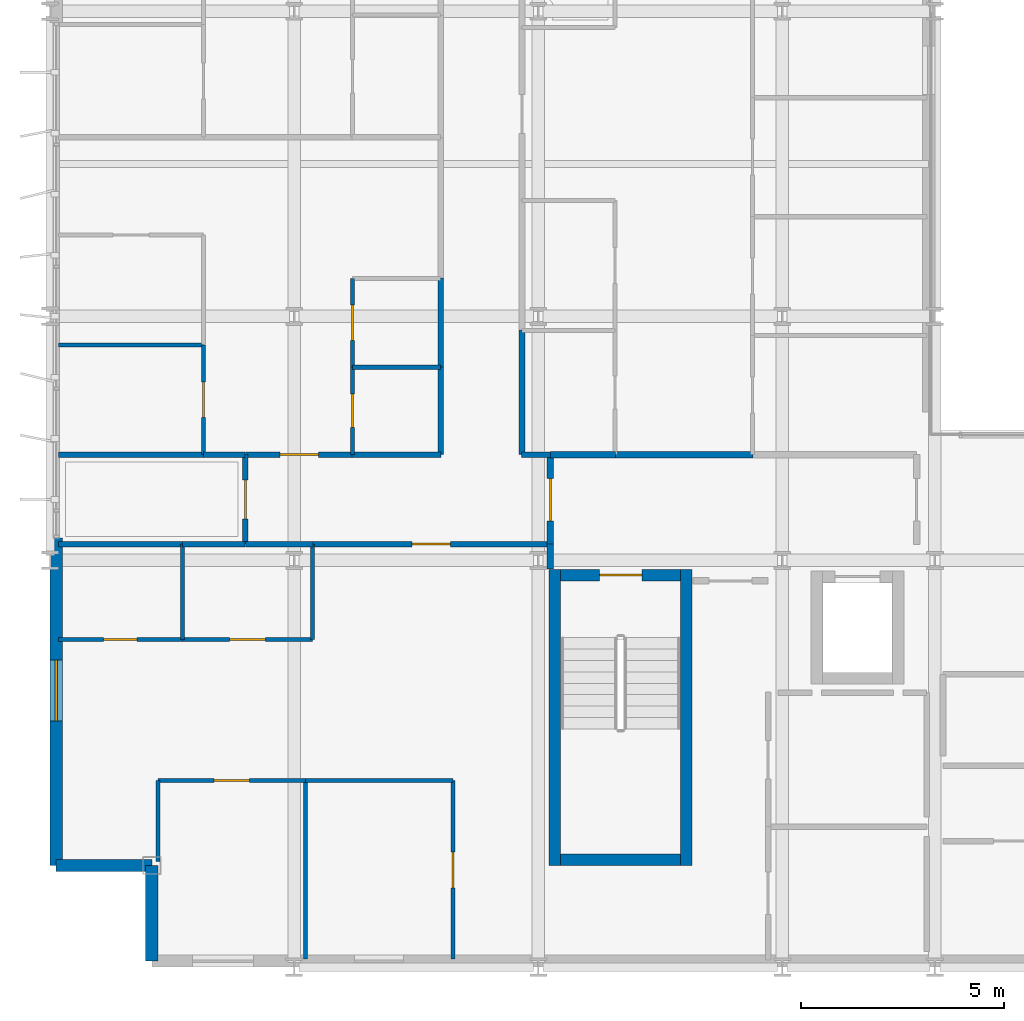
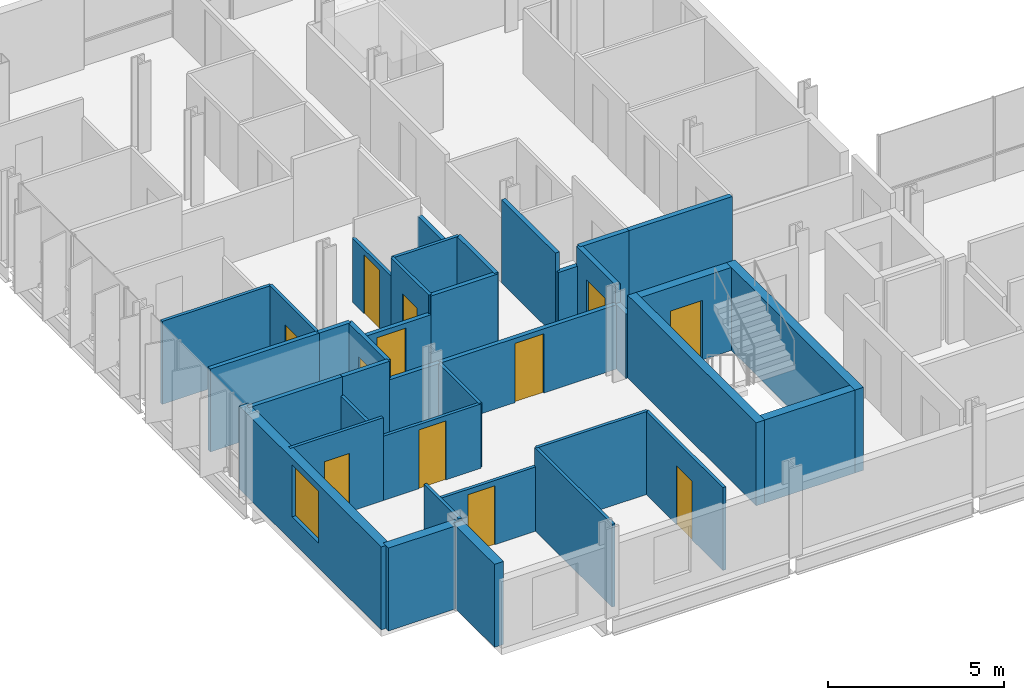
# One storey, part 27 of 38: 38 walls, 12 doors, 1 window, 13 openings.
"""IFC4 building model written with IfcOpenShell, lengths in metres."""

from ifc_helpers import new_model, si_unit, direction, frame, frame_2d, origin, place, context, subcontext, project, spatial, rectangle, extrude, material, layer, layer_set, type_object, element, fill, save


model = new_model("IFC4")

# Units and contexts
model_context = context("Model", 3, precision=1e-05, world=origin(), true_north=direction((0.0, 1.0)))
body_context = subcontext(model_context, "Body", "Model", "MODEL_VIEW")
ifc_project = project(units=[si_unit("LENGTHUNIT", "METRE"), si_unit("AREAUNIT", "SQUARE_METRE"), si_unit("VOLUMEUNIT", "CUBIC_METRE"), si_unit("PLANEANGLEUNIT", "RADIAN"), si_unit("MASSUNIT", "GRAM", prefix="KILO")], contexts=[model_context])

# Site, building, storey
site_placement = place(None, origin())
site = spatial("IfcSite", under=ifc_project, at=site_placement, CompositionType="ELEMENT")
building_placement = place(site_placement, origin())
building = spatial("IfcBuilding", under=site, at=building_placement, Name="Brevholm Reach", CompositionType="ELEMENT")
storey_placement = place(building_placement, frame((0.0, 0.0, 65.199951171875)))
storey = spatial("IfcBuildingStorey", under=building, at=storey_placement, Name="L18", CompositionType="ELEMENT", Elevation=65.199951171875)

# Walls
ifc_material_1 = material(Name="Concrete C50/60", Category="concrete")
ifc_layer_1 = layer(ifc_material_1, 0.280029296875)
ifc_layer_set_1 = layer_set([ifc_layer_1], Name="Concrete C50/60")
wall_type_1 = type_object("IfcWallType", Name="WAL-COR-280", PredefinedType="SHEAR", material=ifc_layer_set_1)
for number, where, z_axis, x_axis, name in (
    (1, (12.409912109375, 2.5, 0.0), (0.0, 0.0, 1.0), (0.0, 1.0, 0.0), "L18 Escape Stair ST-1 Core Wall W"),
    (2, (15.639892578125, 2.5, 0.0), (0.0, 0.0, 1.0), (0.0, 1.0, 0.0), "L18 Escape Stair ST-1 Core Wall E"),
):
    element("IfcWall", number, at=place(storey_placement, frame(where, z_axis=z_axis, x_axis=x_axis)), inside=storey, type_object=wall_type_1, Name=name, PredefinedType="SHEAR", context=body_context, shape_type="SweptSolid", body=[
        extrude(rectangle(XDim=7.280029296875, YDim=0.280029296875, at=frame_2d((3.64013671875, 0.0))), origin(), (0.0, 0.0, 1.0), 2.8701171875),
    ])
wall_1_placement = place(storey_placement, frame((12.550048828125, 2.639892578125, 0.0), z_axis=(0.0, 0.0, 1.0), x_axis=(1.0, 0.0, 0.0)))
element("IfcWall", 3, at=wall_1_placement, inside=storey, type_object=wall_type_1, Name="L18 Escape Stair ST-1 Core Wall S", PredefinedType="SHEAR", context=body_context, shape_type="SweptSolid", body=[
    extrude(rectangle(XDim=2.949951171875, YDim=0.280029296875, at=frame_2d((1.47509765625, 0.0))), origin(), (0.0, 0.0, 1.0), 2.8701171875),
])

# Wall, opening, door
wall_2_placement = place(storey_placement, frame((15.5, 9.639892578125, 0.0), z_axis=(0.0, 0.0, 1.0), x_axis=(-1.0, 0.0, 0.0)))
wall_2 = element("IfcWall", 4, at=wall_2_placement, inside=storey, type_object=wall_type_1, Name="L18 Escape Stair ST-1 Core Wall N", PredefinedType="SHEAR", context=body_context, shape_type="SweptSolid", body=[
    extrude(rectangle(XDim=2.949951171875, YDim=0.280029296875, at=frame_2d((1.47509765625, 0.0))), origin(), (0.0, 0.0, 1.0), 2.8701171875),
])
opening_1_placement = place(wall_2_placement, frame((0.949951171875, 0.0, 0.0)))
opening_1 = element("IfcOpeningElement", 5, at=opening_1_placement, cuts=wall_2, Name="Opening SD-ST-1", PredefinedType="OPENING", context=body_context, shape_type="SweptSolid", body=[
    extrude(rectangle(XDim=1.050048828125, YDim=2.06005859375, at=frame_2d((0.52490234375, 1.030029296875))), frame((0.0, 0.14990234375, 0.0), z_axis=(0.0, -1.0, 0.0), x_axis=(1.0, 0.0, 0.0)), (0.0, 0.0, 1.0), 0.300048828125),
])
ifc_material_2 = material(Name="Hardwood-Lipped Steel-Core Fire and Smoke Door", Category="steel")
door_type_1 = type_object("IfcDoorType", Name="DOR-INT-FD60S", OperationType="NOTDEFINED", PredefinedType="DOOR", material=ifc_material_2)
door_1_placement = place(opening_1_placement, origin())
door_1 = element("IfcDoor", 6, at=door_1_placement, inside=storey, type_object=door_type_1, Name="L18 Protected Stair ST-1 Lobby Door", OperationType="SINGLE_SWING_RIGHT", OverallHeight=2.06005859375, OverallWidth=1.050048828125, PredefinedType="DOOR", context=body_context, shape_type="SweptSolid", body=[
    extrude(rectangle(XDim=1.050048828125, YDim=2.06005859375, at=frame_2d((0.52490234375, 1.030029296875))), frame((0.0, 0.02490234375, 0.0), z_axis=(0.0, -1.0, 0.0), x_axis=(1.0, 0.0, 0.0)), (0.0, 0.0, 1.0), 0.050048828125),
])
fill(opening_1, door_1)

# Walls
ifc_material_3 = material(Name="Concrete C40/50", Category="concrete")
ifc_layer_2 = layer(ifc_material_3, 0.300048828125)
ifc_layer_set_2 = layer_set([ifc_layer_2], Name="Concrete C40/50")
wall_type_2 = type_object("IfcWallType", Name="WAL-EXT-300", PredefinedType="STANDARD", material=ifc_layer_set_2)
for number, where, z_axis, x_axis, name in (
    (7, (2.5, 2.5, 0.0), (0.0, 0.0, 1.0), (0.0, -1.0, 0.0), "L18 Facade Wall WAL-L18-CSW1"),
    (8, (0.14990234375, 2.5, 0.0), (0.0, 0.0, 1.0), (1.0, 0.0, 0.0), "L18 Facade Wall WAL-L18-CSW2"),
):
    element("IfcWall", number, at=place(storey_placement, frame(where, z_axis=z_axis, x_axis=x_axis)), inside=storey, type_object=wall_type_2, Name=name, PredefinedType="STANDARD", context=body_context, shape_type="SweptSolid", body=[
        extrude(rectangle(XDim=2.35009765625, YDim=0.300048828125, at=frame_2d((1.175048828125, 0.0))), origin(), (0.0, 0.0, 1.0), 2.8701171875),
    ])

# Wall, opening, window
wall_3_placement = place(storey_placement, frame((0.14990234375, 10.550048828125, 0.0), z_axis=(0.0, 0.0, 1.0), x_axis=(0.0, -1.0, 0.0)))
wall_3 = element("IfcWall", 9, at=wall_3_placement, inside=storey, type_object=wall_type_2, Name="L18 Facade Wall WAL-L18-W-S", PredefinedType="STANDARD", context=body_context, shape_type="SweptSolid", body=[
    extrude(rectangle(XDim=8.050048828125, YDim=0.300048828125, at=frame_2d((4.02490234375, 0.0))), origin(), (0.0, 0.0, 1.0), 2.8701171875),
])
opening_2_placement = place(wall_3_placement, frame((3.0, 0.0, 0.85009765625)))
opening_2 = element("IfcOpeningElement", 10, at=opening_2_placement, cuts=wall_3, Name="Opening WN-05", PredefinedType="OPENING", context=body_context, shape_type="SweptSolid", body=[
    extrude(rectangle(XDim=1.5, YDim=1.800048828125, at=frame_2d((0.75, 0.89990234375))), frame((0.0, 0.159912109375, 0.0), z_axis=(0.0, -1.0, 0.0), x_axis=(1.0, 0.0, 0.0)), (0.0, 0.0, 1.0), 0.320068359375),
])
ifc_material_4 = material(Name="Dark Anodised Aluminium and Solar-Control IGU Glass", Category="aluminium")
window_type = type_object("IfcWindowType", Name="WIN-RES-1500", PartitioningType="SINGLE_PANEL", PredefinedType="WINDOW", material=ifc_material_4)
window_placement = place(opening_2_placement, origin())
window = element("IfcWindow", 11, at=window_placement, inside=storey, type_object=window_type, Name="L18 Window WIN-L18-WS-1", OverallHeight=1.800048828125, OverallWidth=1.5, PartitioningType="SINGLE_PANEL", PredefinedType="WINDOW", context=body_context, shape_type="SweptSolid", body=[
    extrude(rectangle(XDim=1.5, YDim=1.800048828125, at=frame_2d((0.75, 0.89990234375))), frame((0.0, 0.030029296875, 0.0), z_axis=(0.0, -1.0, 0.0), x_axis=(1.0, 0.0, 0.0)), (0.0, 0.0, 1.0), 0.06005859375),
])
fill(opening_2, window)

# Wall
ifc_material_5 = material(Name="Moisture-Resistant Acoustic Gypsum Stud Partition 100 mm", Category="gypsum")
ifc_layer_3 = layer(ifc_material_5, 0.10009765625)
ifc_layer_set_3 = layer_set([ifc_layer_3], Name="Moisture-Resistant Acoustic Gypsum Stud Partition 100 mm")
wall_type_3 = type_object("IfcWallType", Name="WAL-PRT-100", PredefinedType="PARTITIONING", material=ifc_layer_set_3)
wall_4_placement = place(storey_placement, frame((3.25, 8.053955078125, 0.0), z_axis=(0.0, 0.0, 1.0), x_axis=(0.0, 1.0, 0.0)))
element("IfcWall", 12, at=wall_4_placement, inside=storey, type_object=wall_type_3, Name="L18 Internal Partition 064", PredefinedType="PARTITIONING", context=body_context, shape_type="SweptSolid", body=[
    extrude(rectangle(XDim=2.345947265625, YDim=0.10009765625, at=frame_2d((1.1728515625, 0.0))), origin(), (0.0, 0.0, 1.0), 2.224853515625),
])

# Wall, opening, door
wall_5_placement = place(storey_placement, frame((0.199951171875, 8.053955078125, 0.0), z_axis=(0.0, 0.0, 1.0), x_axis=(1.0, 0.0, 0.0)))
wall_5 = element("IfcWall", 13, at=wall_5_placement, inside=storey, type_object=wall_type_3, Name="L18 Internal Partition 065", PredefinedType="PARTITIONING", context=body_context, shape_type="SweptSolid", body=[
    extrude(rectangle(XDim=3.050048828125, YDim=0.10009765625, at=frame_2d((1.52490234375, 0.0))), origin(), (0.0, 0.0, 1.0), 2.8701171875),
])
opening_3_placement = place(wall_5_placement, frame((1.114990234375, 0.0, 0.0)))
opening_3 = element("IfcOpeningElement", 14, at=opening_3_placement, cuts=wall_5, Name="Opening ID-03", PredefinedType="OPENING", context=body_context, shape_type="SweptSolid", body=[
    extrude(rectangle(XDim=0.820068359375, YDim=2.02001953125, at=frame_2d((0.41015625, 1.010009765625))), frame((0.0, 0.06005859375, 0.0), z_axis=(0.0, -1.0, 0.0), x_axis=(1.0, 0.0, 0.0)), (0.0, 0.0, 1.0), 0.1201171875),
])
ifc_material_6 = material(Name="Moisture-Resistant Painted Timber Internal Bathroom Door", Category="wood")
door_type_2 = type_object("IfcDoorType", Name="DOR-BATH-820", OperationType="NOTDEFINED", PredefinedType="DOOR", material=ifc_material_6)
door_2_placement = place(opening_3_placement, origin())
door_2 = element("IfcDoor", 15, at=door_2_placement, inside=storey, type_object=door_type_2, Name="L18 Internal Door 024", OperationType="SINGLE_SWING_RIGHT", OverallHeight=2.02001953125, OverallWidth=0.820068359375, PredefinedType="DOOR", context=body_context, shape_type="SweptSolid", body=[
    extrude(rectangle(XDim=0.820068359375, YDim=2.02001953125, at=frame_2d((0.41015625, 1.010009765625))), frame((0.0, 0.02490234375, 0.0), z_axis=(0.0, -1.0, 0.0), x_axis=(1.0, 0.0, 0.0)), (0.0, 0.0, 1.0), 0.050048828125),
])
fill(opening_3, door_2)

wall_6_placement = place(storey_placement, frame((3.25390625, 8.053955078125, 0.0), z_axis=(0.0, 0.0, 1.0), x_axis=(1.0, 0.0, 0.0)))
wall_6 = element("IfcWall", 16, at=wall_6_placement, inside=storey, type_object=wall_type_3, Name="L18 Internal Partition 067", PredefinedType="PARTITIONING", context=body_context, shape_type="SweptSolid", body=[
    extrude(rectangle(XDim=3.196044921875, YDim=0.10009765625, at=frame_2d((1.59814453125, 0.0))), origin(), (0.0, 0.0, 1.0), 2.224853515625),
])
opening_4_placement = place(wall_6_placement, frame((1.157958984375, 0.0, 0.0)))
opening_4 = element("IfcOpeningElement", 17, at=opening_4_placement, cuts=wall_6, Name="Opening ID-01", PredefinedType="OPENING", context=body_context, shape_type="SweptSolid", body=[
    extrude(rectangle(XDim=0.8798828125, YDim=2.0400390625, at=frame_2d((0.43994140625, 1.02001953125))), frame((0.0, 0.06005859375, 0.0), z_axis=(0.0, -1.0, 0.0), x_axis=(1.0, 0.0, 0.0)), (0.0, 0.0, 1.0), 0.1201171875),
])
ifc_material_7 = material(Name="Lacquered Ash Solid-Core Acoustic Internal Door", Category="timber")
door_type_3 = type_object("IfcDoorType", Name="DOR-INT-880", OperationType="NOTDEFINED", PredefinedType="DOOR", material=ifc_material_7)
door_3_placement = place(opening_4_placement, origin())
door_3 = element("IfcDoor", 18, at=door_3_placement, inside=storey, type_object=door_type_3, Name="L18 Internal Door 025", OperationType="SINGLE_SWING_LEFT", OverallHeight=2.0400390625, OverallWidth=0.8798828125, PredefinedType="DOOR", context=body_context, shape_type="SweptSolid", body=[
    extrude(rectangle(XDim=0.8798828125, YDim=2.0400390625, at=frame_2d((0.43994140625, 1.02001953125))), frame((0.0, 0.02490234375, 0.0), z_axis=(0.0, -1.0, 0.0), x_axis=(1.0, 0.0, 0.0)), (0.0, 0.0, 1.0), 0.050048828125),
])
fill(opening_4, door_3)

# Walls
wall_7_placement = place(storey_placement, frame((6.449951171875, 8.053955078125, 0.0), z_axis=(0.0, 0.0, 1.0), x_axis=(0.0, 1.0, 0.0)))
element("IfcWall", 19, at=wall_7_placement, inside=storey, type_object=wall_type_3, Name="L18 Internal Partition 068", PredefinedType="PARTITIONING", context=body_context, shape_type="SweptSolid", body=[
    extrude(rectangle(XDim=2.342041015625, YDim=0.10009765625, at=frame_2d((1.1708984375, 0.0))), origin(), (0.0, 0.0, 1.0), 2.224853515625),
])
wall_8_placement = place(storey_placement, frame((6.27490234375, 0.199951171875, 0.0), z_axis=(0.0, 0.0, 1.0), x_axis=(0.0, 1.0, 0.0)))
element("IfcWall", 20, at=wall_8_placement, inside=storey, type_object=wall_type_3, Name="L18 Internal Partition 070", PredefinedType="PARTITIONING", context=body_context, shape_type="SweptSolid", body=[
    extrude(rectangle(XDim=4.385986328125, YDim=0.10009765625, at=frame_2d((2.19287109375, 0.0))), origin(), (0.0, 0.0, 1.0), 2.8701171875),
])
wall_9_placement = place(storey_placement, frame((2.64990234375, 2.599365234375, 0.0), z_axis=(0.0, 0.0, 1.0), x_axis=(0.0, 1.0, 0.0)))
element("IfcWall", 21, at=wall_9_placement, inside=storey, type_object=wall_type_3, Name="L18 Internal Partition 071", PredefinedType="PARTITIONING", context=body_context, shape_type="SweptSolid", body=[
    extrude(rectangle(XDim=1.986572265625, YDim=0.10009765625, at=frame_2d((0.9931640625, 0.0))), origin(), (0.0, 0.0, 1.0), 2.8701171875),
])

# Wall, opening, door
wall_10_placement = place(storey_placement, frame((2.64990234375, 4.5859375, 0.0), z_axis=(0.0, 0.0, 1.0), x_axis=(1.0, 0.0, 0.0)))
wall_10 = element("IfcWall", 22, at=wall_10_placement, inside=storey, type_object=wall_type_3, Name="L18 Internal Partition 072", PredefinedType="PARTITIONING", context=body_context, shape_type="SweptSolid", body=[
    extrude(rectangle(XDim=3.625, YDim=0.10009765625, at=frame_2d((1.8125, 0.0))), origin(), (0.0, 0.0, 1.0), 2.224853515625),
])
opening_5_placement = place(wall_10_placement, frame((1.37255859375, 0.0, 0.0)))
opening_5 = element("IfcOpeningElement", 23, at=opening_5_placement, cuts=wall_10, Name="Opening ID-01", PredefinedType="OPENING", context=body_context, shape_type="SweptSolid", body=[
    extrude(rectangle(XDim=0.8798828125, YDim=2.0400390625, at=frame_2d((0.43994140625, 1.02001953125))), frame((0.0, 0.06005859375, 0.0), z_axis=(0.0, -1.0, 0.0), x_axis=(1.0, 0.0, 0.0)), (0.0, 0.0, 1.0), 0.1201171875),
])
door_4_placement = place(opening_5_placement, origin())
door_4 = element("IfcDoor", 24, at=door_4_placement, inside=storey, type_object=door_type_3, Name="L18 Internal Door 026", OperationType="SINGLE_SWING_RIGHT", OverallHeight=2.0400390625, OverallWidth=0.8798828125, PredefinedType="DOOR", context=body_context, shape_type="SweptSolid", body=[
    extrude(rectangle(XDim=0.8798828125, YDim=2.0400390625, at=frame_2d((0.43994140625, 1.02001953125))), frame((0.0, 0.02490234375, 0.0), z_axis=(0.0, -1.0, 0.0), x_axis=(1.0, 0.0, 0.0)), (0.0, 0.0, 1.0), 0.050048828125),
])
fill(opening_5, door_4)

wall_11_placement = place(storey_placement, frame((9.89990234375, 0.199951171875, 0.0), z_axis=(0.0, 0.0, 1.0), x_axis=(0.0, 1.0, 0.0)))
wall_11 = element("IfcWall", 25, at=wall_11_placement, inside=storey, type_object=wall_type_3, Name="L18 Internal Partition 073", PredefinedType="PARTITIONING", context=body_context, shape_type="SweptSolid", body=[
    extrude(rectangle(XDim=4.385986328125, YDim=0.10009765625, at=frame_2d((2.19287109375, 0.0))), origin(), (0.0, 0.0, 1.0), 2.8701171875),
])
opening_6_placement = place(wall_11_placement, frame((1.7529296875, 0.0, 0.0)))
opening_6 = element("IfcOpeningElement", 26, at=opening_6_placement, cuts=wall_11, Name="Opening ID-01", PredefinedType="OPENING", context=body_context, shape_type="SweptSolid", body=[
    extrude(rectangle(XDim=0.8798828125, YDim=2.0400390625, at=frame_2d((0.43994140625, 1.02001953125))), frame((0.0, 0.06005859375, 0.0), z_axis=(0.0, -1.0, 0.0), x_axis=(1.0, 0.0, 0.0)), (0.0, 0.0, 1.0), 0.1201171875),
])
door_5_placement = place(opening_6_placement, origin())
door_5 = element("IfcDoor", 27, at=door_5_placement, inside=storey, type_object=door_type_3, Name="L18 Internal Door 027", OperationType="SINGLE_SWING_LEFT", OverallHeight=2.0400390625, OverallWidth=0.8798828125, PredefinedType="DOOR", context=body_context, shape_type="SweptSolid", body=[
    extrude(rectangle(XDim=0.8798828125, YDim=2.0400390625, at=frame_2d((0.43994140625, 1.02001953125))), frame((0.0, 0.02490234375, 0.0), z_axis=(0.0, -1.0, 0.0), x_axis=(1.0, 0.0, 0.0)), (0.0, 0.0, 1.0), 0.050048828125),
])
fill(opening_6, door_5)

# Walls
wall_12_placement = place(storey_placement, frame((6.279052734375, 4.5859375, 0.0), z_axis=(0.0, 0.0, 1.0), x_axis=(1.0, 0.0, 0.0)))
element("IfcWall", 28, at=wall_12_placement, inside=storey, type_object=wall_type_3, Name="L18 Internal Partition 074", PredefinedType="PARTITIONING", context=body_context, shape_type="SweptSolid", body=[
    extrude(rectangle(XDim=3.620849609375, YDim=0.10009765625, at=frame_2d((1.810546875, 0.0))), origin(), (0.0, 0.0, 1.0), 2.8701171875),
])
wall_13_placement = place(storey_placement, frame((7.43798828125, 14.75, 0.0), z_axis=(0.0, 0.0, 1.0), x_axis=(1.0, 0.0, 0.0)))
element("IfcWall", 29, at=wall_13_placement, inside=storey, type_object=wall_type_3, Name="L18 Internal Partition 089", PredefinedType="PARTITIONING", context=body_context, shape_type="SweptSolid", body=[
    extrude(rectangle(XDim=2.157958984375, YDim=0.10009765625, at=frame_2d((1.0791015625, 0.0))), origin(), (0.0, 0.0, 1.0), 2.8701171875),
])

# Wall, opening, door
wall_14_placement = place(storey_placement, frame((7.43798828125, 12.60400390625, 0.0), z_axis=(0.0, 0.0, 1.0), x_axis=(0.0, 1.0, 0.0)))
wall_14 = element("IfcWall", 30, at=wall_14_placement, inside=storey, type_object=wall_type_3, Name="L18 Internal Partition 090", PredefinedType="PARTITIONING", context=body_context, shape_type="SweptSolid", body=[
    extrude(rectangle(XDim=2.14599609375, YDim=0.10009765625, at=frame_2d((1.072998046875, 0.0))), origin(), (0.0, 0.0, 1.0), 2.8701171875),
])
opening_7_placement = place(wall_14_placement, frame((0.6630859375, 0.0, 0.0)))
opening_7 = element("IfcOpeningElement", 31, at=opening_7_placement, cuts=wall_14, Name="Opening ID-03", PredefinedType="OPENING", context=body_context, shape_type="SweptSolid", body=[
    extrude(rectangle(XDim=0.820068359375, YDim=2.02001953125, at=frame_2d((0.41015625, 1.010009765625))), frame((0.0, 0.06005859375, 0.0), z_axis=(0.0, -1.0, 0.0), x_axis=(1.0, 0.0, 0.0)), (0.0, 0.0, 1.0), 0.1201171875),
])
door_6_placement = place(opening_7_placement, origin())
door_6 = element("IfcDoor", 32, at=door_6_placement, inside=storey, type_object=door_type_2, Name="L18 Internal Door 032", OperationType="SINGLE_SWING_RIGHT", OverallHeight=2.02001953125, OverallWidth=0.820068359375, PredefinedType="DOOR", context=body_context, shape_type="SweptSolid", body=[
    extrude(rectangle(XDim=0.820068359375, YDim=2.02001953125, at=frame_2d((0.41015625, 1.010009765625))), frame((0.0, 0.02490234375, 0.0), z_axis=(0.0, -1.0, 0.0), x_axis=(1.0, 0.0, 0.0)), (0.0, 0.0, 1.0), 0.050048828125),
])
fill(opening_7, door_6)

wall_15_placement = place(storey_placement, frame((7.43798828125, 14.75390625, 0.0), z_axis=(0.0, 0.0, 1.0), x_axis=(0.0, 1.0, 0.0)))
wall_15 = element("IfcWall", 33, at=wall_15_placement, inside=storey, type_object=wall_type_3, Name="L18 Internal Partition 092", PredefinedType="PARTITIONING", context=body_context, shape_type="SweptSolid", body=[
    extrude(rectangle(XDim=2.18017578125, YDim=0.10009765625, at=frame_2d((1.090087890625, 0.0))), origin(), (0.0, 0.0, 1.0), 2.224853515625),
])
opening_8_placement = place(wall_15_placement, frame((0.64990234375, 0.0, 0.0)))
opening_8 = element("IfcOpeningElement", 34, at=opening_8_placement, cuts=wall_15, Name="Opening ID-01", PredefinedType="OPENING", context=body_context, shape_type="SweptSolid", body=[
    extrude(rectangle(XDim=0.8798828125, YDim=2.0400390625, at=frame_2d((0.43994140625, 1.02001953125))), frame((0.0, 0.06005859375, 0.0), z_axis=(0.0, -1.0, 0.0), x_axis=(1.0, 0.0, 0.0)), (0.0, 0.0, 1.0), 0.1201171875),
])
door_7_placement = place(opening_8_placement, origin())
door_7 = element("IfcDoor", 35, at=door_7_placement, inside=storey, type_object=door_type_3, Name="L18 Internal Door 033", OperationType="SINGLE_SWING_LEFT", OverallHeight=2.0400390625, OverallWidth=0.8798828125, PredefinedType="DOOR", context=body_context, shape_type="SweptSolid", body=[
    extrude(rectangle(XDim=0.8798828125, YDim=2.0400390625, at=frame_2d((0.43994140625, 1.02001953125))), frame((0.0, 0.02490234375, 0.0), z_axis=(0.0, -1.0, 0.0), x_axis=(1.0, 0.0, 0.0)), (0.0, 0.0, 1.0), 0.050048828125),
])
fill(opening_8, door_7)

# Wall
wall_16_placement = place(storey_placement, frame((0.199951171875, 15.300048828125, 0.0), z_axis=(0.0, 0.0, 1.0), x_axis=(1.0, 0.0, 0.0)))
element("IfcWall", 36, at=wall_16_placement, inside=storey, type_object=wall_type_3, Name="L18 Internal Partition 093", PredefinedType="PARTITIONING", context=body_context, shape_type="SweptSolid", body=[
    extrude(rectangle(XDim=3.572021484375, YDim=0.10009765625, at=frame_2d((1.7861328125, 0.0))), origin(), (0.0, 0.0, 1.0), 2.8701171875),
])

# Wall, opening, door
wall_17_placement = place(storey_placement, frame((3.77197265625, 12.60400390625, 0.0), z_axis=(0.0, 0.0, 1.0), x_axis=(0.0, 1.0, 0.0)))
wall_17 = element("IfcWall", 37, at=wall_17_placement, inside=storey, type_object=wall_type_3, Name="L18 Internal Partition 094", PredefinedType="PARTITIONING", context=body_context, shape_type="SweptSolid", body=[
    extrude(rectangle(XDim=2.696044921875, YDim=0.10009765625, at=frame_2d((1.34814453125, 0.0))), origin(), (0.0, 0.0, 1.0), 2.8701171875),
])
opening_9_placement = place(wall_17_placement, frame((0.907958984375, 0.0, 0.0)))
opening_9 = element("IfcOpeningElement", 38, at=opening_9_placement, cuts=wall_17, Name="Opening ID-01", PredefinedType="OPENING", context=body_context, shape_type="SweptSolid", body=[
    extrude(rectangle(XDim=0.8798828125, YDim=2.0400390625, at=frame_2d((0.43994140625, 1.02001953125))), frame((0.0, 0.06005859375, 0.0), z_axis=(0.0, -1.0, 0.0), x_axis=(1.0, 0.0, 0.0)), (0.0, 0.0, 1.0), 0.1201171875),
])
door_8_placement = place(opening_9_placement, origin())
door_8 = element("IfcDoor", 39, at=door_8_placement, inside=storey, type_object=door_type_3, Name="L18 Internal Door 034", OperationType="SINGLE_SWING_RIGHT", OverallHeight=2.0400390625, OverallWidth=0.8798828125, PredefinedType="DOOR", context=body_context, shape_type="SweptSolid", body=[
    extrude(rectangle(XDim=0.8798828125, YDim=2.0400390625, at=frame_2d((0.43994140625, 1.02001953125))), frame((0.0, 0.02490234375, 0.0), z_axis=(0.0, -1.0, 0.0), x_axis=(1.0, 0.0, 0.0)), (0.0, 0.0, 1.0), 0.050048828125),
])
fill(opening_9, door_8)

# Wall
ifc_material_8 = material(Name="Twin-Stud Acoustic Fire-Rated Gypsum Partition 140 mm", Category="gypsum")
ifc_layer_4 = layer(ifc_material_8, 0.139892578125)
ifc_layer_set_4 = layer_set([ifc_layer_4], Name="Twin-Stud Acoustic Fire-Rated Gypsum Partition 140 mm")
wall_type_4 = type_object("IfcWallType", Name="WAL-PRT-140", PredefinedType="PARTITIONING", material=ifc_layer_set_4)
wall_18_placement = place(storey_placement, frame((4.800048828125, 10.39990234375, 0.0), z_axis=(0.0, 0.0, 1.0), x_axis=(1.0, 0.0, 0.0)))
element("IfcWall", 40, at=wall_18_placement, inside=storey, type_object=wall_type_4, Name="L18 Internal Partition 028", PredefinedType="PARTITIONING", context=body_context, shape_type="SweptSolid", body=[
    extrude(rectangle(XDim=1.6611328125, YDim=0.139892578125, at=frame_2d((0.83056640625, 0.0))), origin(), (0.0, 0.0, 1.0), 2.224853515625),
])

# Wall, opening, door
wall_19_placement = place(storey_placement, frame((6.442626953125, 10.39990234375, 0.0), z_axis=(0.0, 0.0, 1.0), x_axis=(1.0, 0.0, 0.0)))
wall_19 = element("IfcWall", 41, at=wall_19_placement, inside=storey, type_object=wall_type_4, Name="L18 Internal Partition 029", PredefinedType="PARTITIONING", context=body_context, shape_type="SweptSolid", body=[
    extrude(rectangle(XDim=5.853271484375, YDim=0.139892578125, at=frame_2d((2.9267578125, 0.0))), origin(), (0.0, 0.0, 1.0), 2.224853515625),
])
opening_10_placement = place(wall_19_placement, frame((2.45166015625, 0.0, 0.0)))
opening_10 = element("IfcOpeningElement", 42, at=opening_10_placement, cuts=wall_19, Name="Opening ID-30", PredefinedType="OPENING", context=body_context, shape_type="SweptSolid", body=[
    extrude(rectangle(XDim=0.949951171875, YDim=2.050048828125, at=frame_2d((0.47509765625, 1.02490234375))), frame((0.0, 0.079833984375, 0.0), z_axis=(0.0, -1.0, 0.0), x_axis=(1.0, 0.0, 0.0)), (0.0, 0.0, 1.0), 0.159912109375),
])
ifc_material_9 = material(Name="European Oak Veneered Solid-Core Fire Entrance Door", Category="timber")
door_type_4 = type_object("IfcDoorType", Name="DOR-FLT-FD30S", OperationType="NOTDEFINED", PredefinedType="DOOR", material=ifc_material_9)
door_9_placement = place(opening_10_placement, origin())
door_9 = element("IfcDoor", 43, at=door_9_placement, inside=storey, type_object=door_type_4, Name="L18 Internal Door 015", OperationType="SINGLE_SWING_LEFT", OverallHeight=2.050048828125, OverallWidth=0.949951171875, PredefinedType="DOOR", context=body_context, shape_type="SweptSolid", body=[
    extrude(rectangle(XDim=0.949951171875, YDim=2.050048828125, at=frame_2d((0.47509765625, 1.02490234375))), frame((0.0, 0.02490234375, 0.0), z_axis=(0.0, -1.0, 0.0), x_axis=(1.0, 0.0, 0.0)), (0.0, 0.0, 1.0), 0.050048828125),
])
fill(opening_10, door_9)

wall_20_placement = place(storey_placement, frame((4.800048828125, 10.39990234375, 0.0), z_axis=(0.0, 0.0, 1.0), x_axis=(0.0, 1.0, 0.0)))
wall_20 = element("IfcWall", 44, at=wall_20_placement, inside=storey, type_object=wall_type_4, Name="L18 Internal Partition 030", PredefinedType="PARTITIONING", context=body_context, shape_type="SweptSolid", body=[
    extrude(rectangle(XDim=2.2001953125, YDim=0.139892578125, at=frame_2d((1.10009765625, 0.0))), origin(), (0.0, 0.0, 1.0), 2.8701171875),
])
opening_11_placement = place(wall_20_placement, frame((0.625, 0.0, 0.0)))
opening_11 = element("IfcOpeningElement", 45, at=opening_11_placement, cuts=wall_20, Name="Opening ID-30", PredefinedType="OPENING", context=body_context, shape_type="SweptSolid", body=[
    extrude(rectangle(XDim=0.949951171875, YDim=2.050048828125, at=frame_2d((0.47509765625, 1.02490234375))), frame((0.0, 0.079833984375, 0.0), z_axis=(0.0, -1.0, 0.0), x_axis=(1.0, 0.0, 0.0)), (0.0, 0.0, 1.0), 0.159912109375),
])
door_10_placement = place(opening_11_placement, origin())
door_10 = element("IfcDoor", 46, at=door_10_placement, inside=storey, type_object=door_type_4, Name="L18 Internal Door 016", OperationType="SINGLE_SWING_RIGHT", OverallHeight=2.050048828125, OverallWidth=0.949951171875, PredefinedType="DOOR", context=body_context, shape_type="SweptSolid", body=[
    extrude(rectangle(XDim=0.949951171875, YDim=2.050048828125, at=frame_2d((0.47509765625, 1.02490234375))), frame((0.0, 0.02490234375, 0.0), z_axis=(0.0, -1.0, 0.0), x_axis=(1.0, 0.0, 0.0)), (0.0, 0.0, 1.0), 0.050048828125),
])
fill(opening_11, door_10)

# Wall
wall_21_placement = place(storey_placement, frame((7.4267578125, 12.60009765625, 0.0), z_axis=(0.0, 0.0, 1.0), x_axis=(1.0, 0.0, 0.0)))
element("IfcWall", 47, at=wall_21_placement, inside=storey, type_object=wall_type_4, Name="L18 Internal Partition 031", PredefinedType="PARTITIONING", context=body_context, shape_type="SweptSolid", body=[
    extrude(rectangle(XDim=2.1806640625, YDim=0.139892578125, at=frame_2d((1.09033203125, 0.0))), origin(), (0.0, 0.0, 1.0), 2.8701171875),
])

# Wall, opening, door
wall_22_placement = place(storey_placement, frame((4.800048828125, 12.60009765625, 0.0), z_axis=(0.0, 0.0, 1.0), x_axis=(1.0, 0.0, 0.0)))
wall_22 = element("IfcWall", 48, at=wall_22_placement, inside=storey, type_object=wall_type_4, Name="L18 Internal Partition 032", PredefinedType="PARTITIONING", context=body_context, shape_type="SweptSolid", body=[
    extrude(rectangle(XDim=2.645263671875, YDim=0.139892578125, at=frame_2d((1.32275390625, 0.0))), origin(), (0.0, 0.0, 1.0), 2.224853515625),
])
opening_12_placement = place(wall_22_placement, frame((0.84765625, 0.0, 0.0)))
opening_12 = element("IfcOpeningElement", 49, at=opening_12_placement, cuts=wall_22, Name="Opening ID-30", PredefinedType="OPENING", context=body_context, shape_type="SweptSolid", body=[
    extrude(rectangle(XDim=0.949951171875, YDim=2.050048828125, at=frame_2d((0.47509765625, 1.02490234375))), frame((0.0, 0.079833984375, 0.0), z_axis=(0.0, -1.0, 0.0), x_axis=(1.0, 0.0, 0.0)), (0.0, 0.0, 1.0), 0.159912109375),
])
door_11_placement = place(opening_12_placement, origin())
door_11 = element("IfcDoor", 50, at=door_11_placement, inside=storey, type_object=door_type_4, Name="L18 Internal Door 017", OperationType="SINGLE_SWING_LEFT", OverallHeight=2.050048828125, OverallWidth=0.949951171875, PredefinedType="DOOR", context=body_context, shape_type="SweptSolid", body=[
    extrude(rectangle(XDim=0.949951171875, YDim=2.050048828125, at=frame_2d((0.47509765625, 1.02490234375))), frame((0.0, 0.02490234375, 0.0), z_axis=(0.0, -1.0, 0.0), x_axis=(1.0, 0.0, 0.0)), (0.0, 0.0, 1.0), 0.050048828125),
])
fill(opening_12, door_11)

# Walls
wall_23_placement = place(storey_placement, frame((11.5927734375, 12.60009765625, 0.0), z_axis=(0.0, 0.0, 1.0), x_axis=(1.0, 0.0, 0.0)))
element("IfcWall", 51, at=wall_23_placement, inside=storey, type_object=wall_type_4, Name="L18 Internal Partition 033", PredefinedType="PARTITIONING", context=body_context, shape_type="SweptSolid", body=[
    extrude(rectangle(XDim=0.703125, YDim=0.139892578125, at=frame_2d((0.3515625, 0.0))), origin(), (0.0, 0.0, 1.0), 2.224853515625),
])
wall_24_placement = place(storey_placement, frame((9.60009765625, 12.60400390625, 0.0), z_axis=(0.0, 0.0, 1.0), x_axis=(0.0, 1.0, 0.0)))
element("IfcWall", 52, at=wall_24_placement, inside=storey, type_object=wall_type_4, Name="L18 Internal Partition 037", PredefinedType="PARTITIONING", context=body_context, shape_type="SweptSolid", body=[
    extrude(rectangle(XDim=2.1572265625, YDim=0.139892578125, at=frame_2d((1.07861328125, 0.0))), origin(), (0.0, 0.0, 1.0), 2.8701171875),
])
wall_25_placement = place(storey_placement, frame((9.60009765625, 14.74267578125, 0.0), z_axis=(0.0, 0.0, 1.0), x_axis=(0.0, 1.0, 0.0)))
element("IfcWall", 53, at=wall_25_placement, inside=storey, type_object=wall_type_4, Name="L18 Internal Partition 038", PredefinedType="PARTITIONING", context=body_context, shape_type="SweptSolid", body=[
    extrude(rectangle(XDim=2.20263671875, YDim=0.139892578125, at=frame_2d((1.101318359375, 0.0))), origin(), (0.0, 0.0, 1.0), 2.224853515625),
])
wall_26_placement = place(storey_placement, frame((11.60009765625, 12.60400390625, 0.0), z_axis=(0.0, 0.0, 1.0), x_axis=(0.0, 1.0, 0.0)))
element("IfcWall", 54, at=wall_26_placement, inside=storey, type_object=wall_type_4, Name="L18 Internal Partition 043", PredefinedType="PARTITIONING", context=body_context, shape_type="SweptSolid", body=[
    extrude(rectangle(XDim=3.057373046875, YDim=0.139892578125, at=frame_2d((1.52880859375, 0.0))), origin(), (0.0, 0.0, 1.0), 2.8701171875),
])
wall_27_placement = place(storey_placement, frame((0.199951171875, 10.39990234375, 0.0), z_axis=(0.0, 0.0, 1.0), x_axis=(1.0, 0.0, 0.0)))
element("IfcWall", 55, at=wall_27_placement, inside=storey, type_object=wall_type_4, Name="L18 Internal Partition 066", PredefinedType="PARTITIONING", context=body_context, shape_type="SweptSolid", body=[
    extrude(rectangle(XDim=3.050048828125, YDim=0.139892578125, at=frame_2d((1.52490234375, 0.0))), origin(), (0.0, 0.0, 1.0), 2.8701171875),
])
wall_28_placement = place(storey_placement, frame((3.25390625, 10.39990234375, 0.0), z_axis=(0.0, 0.0, 1.0), x_axis=(1.0, 0.0, 0.0)))
element("IfcWall", 56, at=wall_28_placement, inside=storey, type_object=wall_type_4, Name="L18 Internal Partition 069", PredefinedType="PARTITIONING", context=body_context, shape_type="SweptSolid", body=[
    extrude(rectangle(XDim=1.5419921875, YDim=0.139892578125, at=frame_2d((0.77099609375, 0.0))), origin(), (0.0, 0.0, 1.0), 2.8701171875),
])
wall_29_placement = place(storey_placement, frame((0.199951171875, 12.60009765625, 0.0), z_axis=(0.0, 0.0, 1.0), x_axis=(1.0, 0.0, 0.0)))
element("IfcWall", 57, at=wall_29_placement, inside=storey, type_object=wall_type_4, Name="L18 Internal Partition 075", PredefinedType="PARTITIONING", context=body_context, shape_type="SweptSolid", body=[
    extrude(rectangle(XDim=3.583251953125, YDim=0.139892578125, at=frame_2d((1.79150390625, 0.0))), origin(), (0.0, 0.0, 1.0), 2.8701171875),
])
wall_30_placement = place(storey_placement, frame((3.7646484375, 12.60009765625, 0.0), z_axis=(0.0, 0.0, 1.0), x_axis=(1.0, 0.0, 0.0)))
element("IfcWall", 58, at=wall_30_placement, inside=storey, type_object=wall_type_4, Name="L18 Internal Partition 076", PredefinedType="PARTITIONING", context=body_context, shape_type="SweptSolid", body=[
    extrude(rectangle(XDim=1.03125, YDim=0.139892578125, at=frame_2d((0.515625, 0.0))), origin(), (0.0, 0.0, 1.0), 2.8701171875),
])

# Wall, opening, door
ifc_material_10 = material(Name="Twin-Frame Fire-Rated Gypsum Board and Mineral Wool 160 mm", Category="gypsum")
ifc_layer_5 = layer(ifc_material_10, 0.159912109375)
ifc_layer_set_5 = layer_set([ifc_layer_5], Name="Twin-Frame Fire-Rated Gypsum Board and Mineral Wool 160 mm")
wall_type_5 = type_object("IfcWallType", Name="WAL-PRT-160", PredefinedType="PARTITIONING", material=ifc_layer_set_5)
wall_31_placement = place(storey_placement, frame((12.300048828125, 10.388671875, 0.0), z_axis=(0.0, 0.0, 1.0), x_axis=(0.0, 1.0, 0.0)))
wall_31 = element("IfcWall", 59, at=wall_31_placement, inside=storey, type_object=wall_type_5, Name="L18 Internal Partition 018", PredefinedType="PARTITIONING", context=body_context, shape_type="SweptSolid", body=[
    extrude(rectangle(XDim=2.21142578125, YDim=0.159912109375, at=frame_2d((1.105712890625, 0.0))), origin(), (0.0, 0.0, 1.0), 2.8701171875),
])
opening_13_placement = place(wall_31_placement, frame((0.58056640625, 0.0, 0.0)))
opening_13 = element("IfcOpeningElement", 60, at=opening_13_placement, cuts=wall_31, Name="Opening FD-01", PredefinedType="OPENING", context=body_context, shape_type="SweptSolid", body=[
    extrude(rectangle(XDim=1.050048828125, YDim=2.06005859375, at=frame_2d((0.52490234375, 1.030029296875))), frame((0.0, 0.08984375, 0.0), z_axis=(0.0, -1.0, 0.0), x_axis=(1.0, 0.0, 0.0)), (0.0, 0.0, 1.0), 0.179931640625),
])
door_12_placement = place(opening_13_placement, origin())
door_12 = element("IfcDoor", 61, at=door_12_placement, inside=storey, type_object=door_type_1, Name="L18 Internal Door 011", OperationType="SINGLE_SWING_LEFT", OverallHeight=2.06005859375, OverallWidth=1.050048828125, PredefinedType="DOOR", context=body_context, shape_type="SweptSolid", body=[
    extrude(rectangle(XDim=1.050048828125, YDim=2.06005859375, at=frame_2d((0.52490234375, 1.030029296875))), frame((0.0, 0.02490234375, 0.0), z_axis=(0.0, -1.0, 0.0), x_axis=(1.0, 0.0, 0.0)), (0.0, 0.0, 1.0), 0.050048828125),
])
fill(opening_13, door_12)

# Walls
wall_32_placement = place(storey_placement, frame((12.300048828125, 9.7900390625, 0.0), z_axis=(0.0, 0.0, 1.0), x_axis=(0.0, 1.0, 0.0)))
element("IfcWall", 62, at=wall_32_placement, inside=storey, type_object=wall_type_5, Name="L18 Internal Partition 020", PredefinedType="PARTITIONING", context=body_context, shape_type="SweptSolid", body=[
    extrude(rectangle(XDim=0.6171875, YDim=0.159912109375, at=frame_2d((0.30859375, 0.0))), origin(), (0.0, 0.0, 1.0), 2.224853515625),
])
wall_33_placement = place(storey_placement, frame((12.300048828125, 12.60009765625, 0.0), z_axis=(0.0, 0.0, 1.0), x_axis=(1.0, 0.0, 0.0)))
element("IfcWall", 63, at=wall_33_placement, inside=storey, type_object=wall_type_5, Name="L18 Internal Partition 021", PredefinedType="PARTITIONING", context=body_context, shape_type="SweptSolid", body=[
    extrude(rectangle(XDim=1.600341796875, YDim=0.159912109375, at=frame_2d((0.80029296875, 0.0))), origin(), (0.0, 0.0, 1.0), 2.8701171875),
])
wall_34_placement = place(storey_placement, frame((13.881591796875, 12.60009765625, 0.0), z_axis=(0.0, 0.0, 1.0), x_axis=(1.0, 0.0, 0.0)))
element("IfcWall", 64, at=wall_34_placement, inside=storey, type_object=wall_type_5, Name="L18 Internal Partition 023", PredefinedType="PARTITIONING", context=body_context, shape_type="SweptSolid", body=[
    extrude(rectangle(XDim=3.396728515625, YDim=0.159912109375, at=frame_2d((1.6982421875, 0.0))), origin(), (0.0, 0.0, 1.0), 2.8701171875),
])

save(model, "model.ifc")
